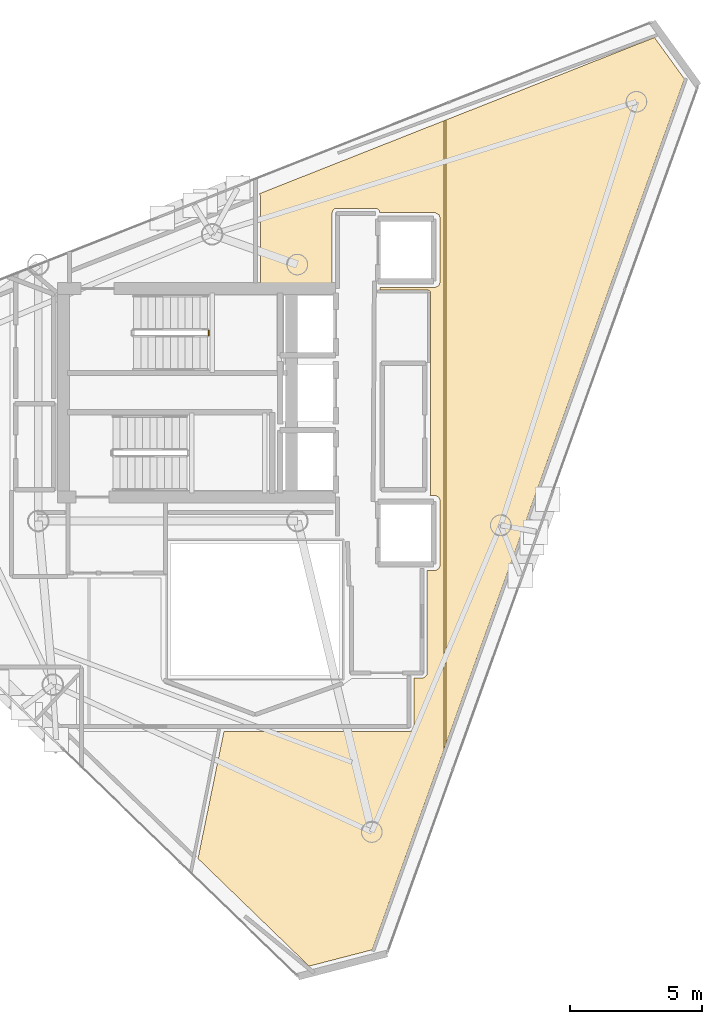
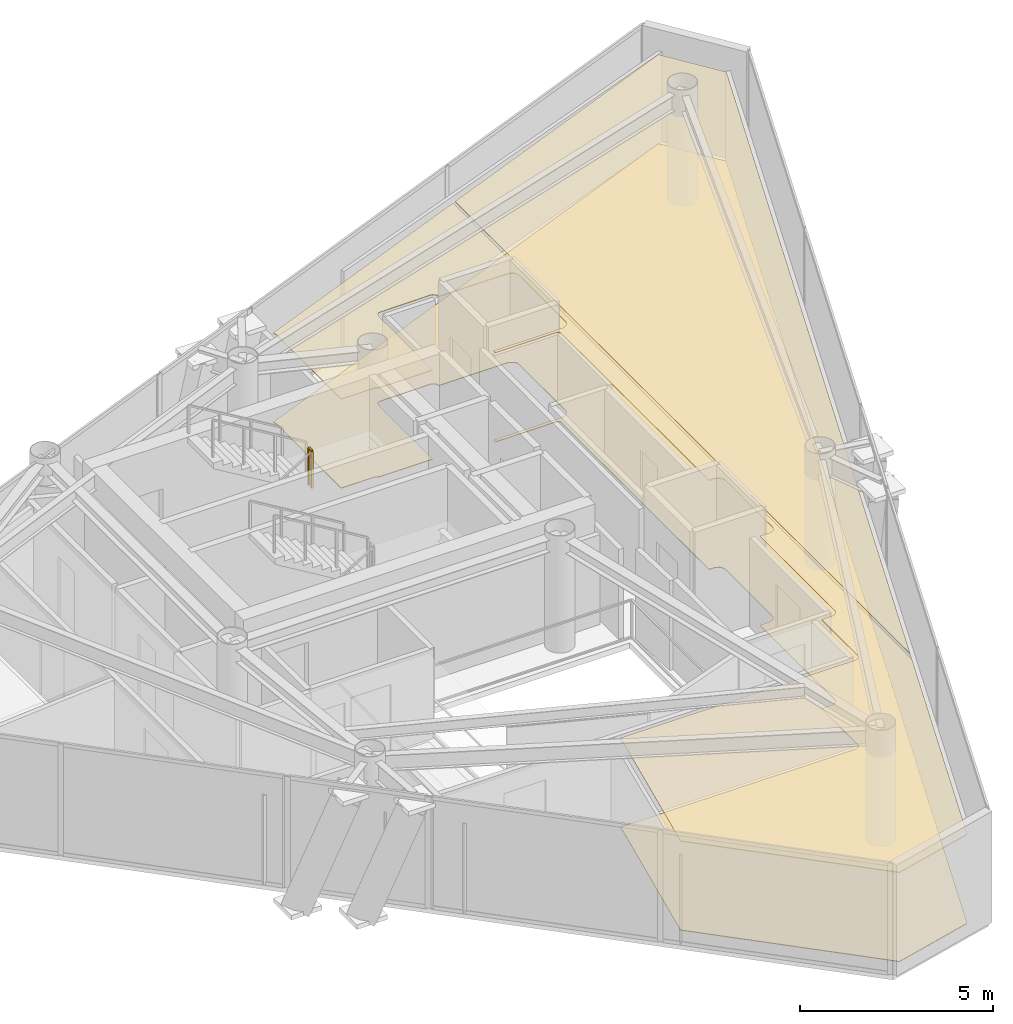
# One storey, part 19 of 19: 3 coverings, 1 railing.
"""IFC4 building model written with IfcOpenShell, lengths in metres."""

from ifc_helpers import new_model, si_unit, direction, frame, origin, origin_2d, place, context, subcontext, project, spatial, polyline, rectangle, outline, extrude, material, layer, layer_set, type_object, element, save


model = new_model("IFC4")

# Units and contexts
model_context = context("Model", 3, precision=1e-05, world=origin(), true_north=direction((0.0, 1.0)))
body_context = subcontext(model_context, "Body", "Model", "MODEL_VIEW")
ifc_project = project(units=[si_unit("LENGTHUNIT", "METRE"), si_unit("AREAUNIT", "SQUARE_METRE"), si_unit("VOLUMEUNIT", "CUBIC_METRE"), si_unit("PLANEANGLEUNIT", "RADIAN"), si_unit("MASSUNIT", "GRAM", prefix="KILO")], contexts=[model_context])

# Site, building, storey
site_placement = place(None, origin())
site = spatial("IfcSite", under=ifc_project, at=site_placement, CompositionType="ELEMENT")
building_placement = place(site_placement, origin())
building = spatial("IfcBuilding", under=site, at=building_placement, Name="Qianvela Tower", CompositionType="ELEMENT")
storey_placement = place(building_placement, frame((0.0, 0.0, 344.39990234375)))
storey = spatial("IfcBuildingStorey", under=building, at=storey_placement, Name="L89", CompositionType="ELEMENT", Elevation=344.39990234375)

# Coverings
ifc_material_1 = material(Name="Perforated Mineral Acoustic Ceiling Tile")
ifc_layer_1 = layer(ifc_material_1, 0.02490234375)
ifc_layer_set_1 = layer_set([ifc_layer_1], Name="Perforated Mineral Acoustic Ceiling Tile")
covering_type_1 = type_object("IfcCoveringType", Name="COV-CEIL-ACOUSTIC-25", PredefinedType="CEILING", material=ifc_layer_set_1)
covering_1_placement = place(storey_placement, frame((0.0, 0.0, 2.815185546875)))
element("IfcCovering", 1, at=covering_1_placement, inside=storey, type_object=covering_type_1, Name="L89 Acoustic Ceiling Bay 1 Student Reading Library L89-03", PredefinedType="CEILING", context=body_context, shape_type="SweptSolid", body=[
    extrude(outline(polyline([(43.94580078125, 38.990966796875), (43.94580078125, 15.202880859375), (41.231201171875, 7.6328125), (38.84521484375, 7.01416015625), (34.64208984375, 11.084228515625), (35.62451171875, 15.889892578125), (42.64990234375, 15.889892578125), (42.65771484375, 15.890380859375), (42.66552734375, 15.8916015625), (42.673095703125, 15.893310546875), (42.6806640625, 15.89599609375), (42.7373046875, 15.91943359375), (42.744384765625, 15.9228515625), (42.7509765625, 15.927001953125), (42.75732421875, 15.931640625), (42.76318359375, 15.93701171875), (42.768310546875, 15.942626953125), (42.773193359375, 15.948974609375), (42.777099609375, 15.955810546875), (42.780517578125, 15.962890625), (42.803955078125, 16.019287109375), (42.806640625, 16.02685546875), (42.80859375, 16.034423828125), (42.8095703125, 16.042236328125), (42.81005859375, 16.050048828125), (42.8076171875, 17.920166015625), (43.157958984375, 17.92041015625), (43.165771484375, 17.9208984375), (43.173583984375, 17.921875), (43.18115234375, 17.923828125), (43.1884765625, 17.926513671875), (43.195556640625, 17.9296875), (43.202392578125, 17.933837890625), (43.20849609375, 17.938720703125), (43.21435546875, 17.94384765625), (43.2861328125, 18.015625), (43.29150390625, 18.021484375), (43.296142578125, 18.027587890625), (43.30029296875, 18.034423828125), (43.303466796875, 18.04150390625), (43.30615234375, 18.048828125), (43.30810546875, 18.056640625), (43.30908203125, 18.064208984375), (43.3095703125, 18.072265625), (43.309326171875, 21.980712890625), (43.60791015625, 21.982666015625), (43.615478515625, 21.983154296875), (43.623291015625, 21.984375), (43.630859375, 21.986083984375), (43.637939453125, 21.98876953125), (43.64501953125, 21.9921875), (43.716796875, 22.030517578125), (43.723388671875, 22.034423828125), (43.729736328125, 22.039306640625), (43.735595703125, 22.04443359375), (43.74072265625, 22.05029296875), (43.74560546875, 22.056640625), (43.74951171875, 22.063232421875), (43.787841796875, 22.135009765625), (43.791259765625, 22.14208984375), (43.7939453125, 22.1494140625), (43.7958984375, 22.156982421875), (43.796875, 22.164794921875), (43.79736328125, 22.172607421875), (43.79931640625, 24.61376953125), (43.799072265625, 24.62060546875), (43.798095703125, 24.627685546875), (43.79638671875, 24.634765625), (43.79443359375, 24.641357421875), (43.79150390625, 24.64794921875), (43.751220703125, 24.733154296875), (43.74755859375, 24.739990234375), (43.743408203125, 24.74658203125), (43.73828125, 24.752685546875), (43.732666015625, 24.75830078125), (43.726806640625, 24.76318359375), (43.72021484375, 24.767578125), (43.713134765625, 24.771240234375), (43.6279296875, 24.8115234375), (43.619873046875, 24.81494140625), (43.611328125, 24.8173828125), (43.6025390625, 24.81884765625), (43.59375, 24.8193359375), (43.423828125, 24.8193359375), (43.423828125, 24.8193359375), (43.426513671875, 24.826904296875), (43.428466796875, 24.83447265625), (43.4296875, 24.84228515625), (43.429931640625, 24.85009765625), (43.429931640625, 32.5), (43.4296875, 32.5078125), (43.428466796875, 32.515625), (43.426513671875, 32.523193359375), (43.423828125, 32.530517578125), (43.420654296875, 32.53759765625), (43.41650390625, 32.54443359375), (43.411865234375, 32.55078125), (43.406494140625, 32.556640625), (43.40087890625, 32.561767578125), (43.394287109375, 32.56640625), (43.3876953125, 32.570556640625), (43.380615234375, 32.573974609375), (43.373291015625, 32.57666015625), (43.365478515625, 32.57861328125), (43.35791015625, 32.57958984375), (43.35009765625, 32.580078125), (41.52001953125, 32.580078125), (41.52001953125, 32.679931640625), (43.580078125, 32.679931640625), (43.587158203125, 32.680419921875), (43.593994140625, 32.68115234375), (43.60107421875, 32.682861328125), (43.607666015625, 32.684814453125), (43.6142578125, 32.687744140625), (43.722412109375, 32.739013671875), (43.729248046875, 32.74267578125), (43.73583984375, 32.746826171875), (43.741943359375, 32.751953125), (43.74755859375, 32.757568359375), (43.75244140625, 32.763427734375), (43.7568359375, 32.77001953125), (43.760498046875, 32.777099609375), (43.763427734375, 32.7841796875), (43.79541015625, 32.873046875), (43.7978515625, 32.8818359375), (43.799560546875, 32.890869140625), (43.800048828125, 32.89990234375), (43.800048828125, 35.300048828125), (43.799560546875, 35.307861328125), (43.798583984375, 35.315673828125), (43.796630859375, 35.3232421875), (43.77294921875, 35.40087890625), (43.770263671875, 35.408447265625), (43.76708984375, 35.41552734375), (43.762939453125, 35.422119140625), (43.75830078125, 35.428466796875), (43.7529296875, 35.434326171875), (43.747314453125, 35.439697265625), (43.740966796875, 35.4443359375), (43.734130859375, 35.4482421875), (43.61767578125, 35.510498046875), (43.610595703125, 35.513916015625), (43.603271484375, 35.5166015625), (43.595703125, 35.5185546875), (43.587890625, 35.51953125), (43.580078125, 35.52001953125), (41.515625, 35.52001953125), (41.513916015625, 35.554931640625), (41.512939453125, 35.562744140625), (41.511474609375, 35.5703125), (41.509033203125, 35.577880859375), (41.506103515625, 35.585205078125), (41.50244140625, 35.591796875), (41.498046875, 35.598388671875), (41.4931640625, 35.6044921875), (41.487548828125, 35.60986328125), (41.481689453125, 35.614990234375), (41.41552734375, 35.663818359375), (41.409423828125, 35.66796875), (41.40283203125, 35.67138671875), (41.39599609375, 35.674560546875), (41.38916015625, 35.6767578125), (41.3818359375, 35.678466796875), (41.37451171875, 35.67919921875), (41.3671875, 35.6796875), (39.8349609375, 35.66650390625), (39.8271484375, 35.666015625), (39.8193359375, 35.664794921875), (39.81201171875, 35.662841796875), (39.804443359375, 35.660400390625), (39.797607421875, 35.656982421875), (39.791015625, 35.65283203125), (39.78466796875, 35.648193359375), (39.77880859375, 35.64306640625), (39.773681640625, 35.63720703125), (39.76904296875, 35.630859375), (39.764892578125, 35.624267578125), (39.7294921875, 35.5576171875), (39.72607421875, 35.550537109375), (39.723388671875, 35.543212890625), (39.721435546875, 35.53564453125), (39.720458984375, 35.52783203125), (39.719970703125, 35.52001953125), (39.719970703125, 32.719970703125), (38.125, 32.719970703125), (38.03369140625, 32.762451171875), (38.025634765625, 32.765625), (38.017333984375, 32.76806640625), (38.0087890625, 32.76953125), (38.0, 32.77001953125), (37.010009765625, 32.77001953125), (37.010009765625, 36.1162109375), (37.009521484375, 36.1240234375), (37.008544921875, 36.1318359375), (37.006591796875, 36.139404296875), (37.00390625, 36.146728515625), (36.98095703125, 36.202880859375), (36.977294921875, 36.21044921875), (36.972900390625, 36.217529296875), (36.968017578125, 36.22412109375), (36.96240234375, 36.230224609375), (36.9619140625, 36.23046875), (43.94580078125, 38.990966796875)])), origin(), (0.0, 0.0, 1.0), 0.02490234375),
])
covering_2_placement = place(storey_placement, frame((0.0, 0.0, 2.815185546875)))
element("IfcCovering", 2, at=covering_2_placement, inside=storey, type_object=covering_type_1, Name="L89 Acoustic Ceiling Bay 2 Student Reading Library L89-03", PredefinedType="CEILING", context=body_context, shape_type="SweptSolid", body=[
    extrude(outline(polyline([(51.9072265625, 42.1376953125), (53.0419921875, 40.570068359375), (44.02587890625, 15.42578125), (44.02587890625, 39.0224609375), (51.9072265625, 42.1376953125)])), origin(), (0.0, 0.0, 1.0), 0.02490234375),
])
ifc_material_2 = material(Name="Engineered Acoustic Oak Timber Flooring", Category="wood")
ifc_layer_2 = layer(ifc_material_2, 0.02001953125)
ifc_layer_set_2 = layer_set([ifc_layer_2], Name="Engineered Acoustic Oak Timber Flooring")
covering_type_2 = type_object("IfcCoveringType", Name="COV-FLOOR-OAK-20", PredefinedType="FLOORING", material=ifc_layer_set_2)
covering_3_placement = place(storey_placement, origin())
element("IfcCovering", 3, at=covering_3_placement, inside=storey, type_object=covering_type_2, Name="L89 Finish Flooring Student Reading Library L89-03", PredefinedType="FLOORING", context=body_context, shape_type="SweptSolid", body=[
    extrude(outline(polyline([(36.9619140625, 36.23046875), (51.9072265625, 42.1376953125), (53.0419921875, 40.570068359375), (41.231201171875, 7.6328125), (38.84521484375, 7.01416015625), (34.64208984375, 11.084228515625), (35.62451171875, 15.889892578125), (42.64990234375, 15.889892578125), (42.65771484375, 15.890380859375), (42.66552734375, 15.8916015625), (42.673095703125, 15.893310546875), (42.6806640625, 15.89599609375), (42.7373046875, 15.91943359375), (42.744384765625, 15.9228515625), (42.7509765625, 15.927001953125), (42.75732421875, 15.931640625), (42.76318359375, 15.93701171875), (42.768310546875, 15.942626953125), (42.773193359375, 15.948974609375), (42.777099609375, 15.955810546875), (42.780517578125, 15.962890625), (42.803955078125, 16.019287109375), (42.806640625, 16.02685546875), (42.80859375, 16.034423828125), (42.8095703125, 16.042236328125), (42.81005859375, 16.050048828125), (42.8076171875, 17.920166015625), (43.157958984375, 17.92041015625), (43.165771484375, 17.9208984375), (43.173583984375, 17.921875), (43.18115234375, 17.923828125), (43.1884765625, 17.926513671875), (43.195556640625, 17.9296875), (43.202392578125, 17.933837890625), (43.20849609375, 17.938720703125), (43.21435546875, 17.94384765625), (43.2861328125, 18.015625), (43.29150390625, 18.021484375), (43.296142578125, 18.027587890625), (43.30029296875, 18.034423828125), (43.303466796875, 18.04150390625), (43.30615234375, 18.048828125), (43.30810546875, 18.056640625), (43.30908203125, 18.064208984375), (43.3095703125, 18.072265625), (43.309326171875, 21.980712890625), (43.60791015625, 21.982666015625), (43.615478515625, 21.983154296875), (43.623291015625, 21.984375), (43.630859375, 21.986083984375), (43.637939453125, 21.98876953125), (43.64501953125, 21.9921875), (43.716796875, 22.030517578125), (43.723388671875, 22.034423828125), (43.729736328125, 22.039306640625), (43.735595703125, 22.04443359375), (43.74072265625, 22.05029296875), (43.74560546875, 22.056640625), (43.74951171875, 22.063232421875), (43.787841796875, 22.135009765625), (43.791259765625, 22.14208984375), (43.7939453125, 22.1494140625), (43.7958984375, 22.156982421875), (43.796875, 22.164794921875), (43.79736328125, 22.172607421875), (43.79931640625, 24.61376953125), (43.799072265625, 24.62060546875), (43.798095703125, 24.627685546875), (43.79638671875, 24.634765625), (43.79443359375, 24.641357421875), (43.79150390625, 24.64794921875), (43.751220703125, 24.733154296875), (43.74755859375, 24.739990234375), (43.743408203125, 24.74658203125), (43.73828125, 24.752685546875), (43.732666015625, 24.75830078125), (43.726806640625, 24.76318359375), (43.72021484375, 24.767578125), (43.713134765625, 24.771240234375), (43.6279296875, 24.8115234375), (43.619873046875, 24.81494140625), (43.611328125, 24.8173828125), (43.6025390625, 24.81884765625), (43.59375, 24.8193359375), (43.423828125, 24.8193359375), (43.423828125, 24.8193359375), (43.426513671875, 24.826904296875), (43.428466796875, 24.83447265625), (43.4296875, 24.84228515625), (43.429931640625, 24.85009765625), (43.429931640625, 32.5), (43.4296875, 32.5078125), (43.428466796875, 32.515625), (43.426513671875, 32.523193359375), (43.423828125, 32.530517578125), (43.420654296875, 32.53759765625), (43.41650390625, 32.54443359375), (43.411865234375, 32.55078125), (43.406494140625, 32.556640625), (43.40087890625, 32.561767578125), (43.394287109375, 32.56640625), (43.3876953125, 32.570556640625), (43.380615234375, 32.573974609375), (43.373291015625, 32.57666015625), (43.365478515625, 32.57861328125), (43.35791015625, 32.57958984375), (43.35009765625, 32.580078125), (41.52001953125, 32.580078125), (41.52001953125, 32.679931640625), (43.580078125, 32.679931640625), (43.587158203125, 32.680419921875), (43.593994140625, 32.68115234375), (43.60107421875, 32.682861328125), (43.607666015625, 32.684814453125), (43.6142578125, 32.687744140625), (43.722412109375, 32.739013671875), (43.729248046875, 32.74267578125), (43.73583984375, 32.746826171875), (43.741943359375, 32.751953125), (43.74755859375, 32.757568359375), (43.75244140625, 32.763427734375), (43.7568359375, 32.77001953125), (43.760498046875, 32.777099609375), (43.763427734375, 32.7841796875), (43.79541015625, 32.873046875), (43.7978515625, 32.8818359375), (43.799560546875, 32.890869140625), (43.800048828125, 32.89990234375), (43.800048828125, 35.300048828125), (43.799560546875, 35.307861328125), (43.798583984375, 35.315673828125), (43.796630859375, 35.3232421875), (43.77294921875, 35.40087890625), (43.770263671875, 35.408447265625), (43.76708984375, 35.41552734375), (43.762939453125, 35.422119140625), (43.75830078125, 35.428466796875), (43.7529296875, 35.434326171875), (43.747314453125, 35.439697265625), (43.740966796875, 35.4443359375), (43.734130859375, 35.4482421875), (43.61767578125, 35.510498046875), (43.610595703125, 35.513916015625), (43.603271484375, 35.5166015625), (43.595703125, 35.5185546875), (43.587890625, 35.51953125), (43.580078125, 35.52001953125), (41.515625, 35.52001953125), (41.513916015625, 35.554931640625), (41.512939453125, 35.562744140625), (41.511474609375, 35.5703125), (41.509033203125, 35.577880859375), (41.506103515625, 35.585205078125), (41.50244140625, 35.591796875), (41.498046875, 35.598388671875), (41.4931640625, 35.6044921875), (41.487548828125, 35.60986328125), (41.481689453125, 35.614990234375), (41.41552734375, 35.663818359375), (41.409423828125, 35.66796875), (41.40283203125, 35.67138671875), (41.39599609375, 35.674560546875), (41.38916015625, 35.6767578125), (41.3818359375, 35.678466796875), (41.37451171875, 35.67919921875), (41.3671875, 35.6796875), (39.8349609375, 35.66650390625), (39.8271484375, 35.666015625), (39.8193359375, 35.664794921875), (39.81201171875, 35.662841796875), (39.804443359375, 35.660400390625), (39.797607421875, 35.656982421875), (39.791015625, 35.65283203125), (39.78466796875, 35.648193359375), (39.77880859375, 35.64306640625), (39.773681640625, 35.63720703125), (39.76904296875, 35.630859375), (39.764892578125, 35.624267578125), (39.7294921875, 35.5576171875), (39.72607421875, 35.550537109375), (39.723388671875, 35.543212890625), (39.721435546875, 35.53564453125), (39.720458984375, 35.52783203125), (39.719970703125, 35.52001953125), (39.719970703125, 32.719970703125), (38.125, 32.719970703125), (38.03369140625, 32.762451171875), (38.025634765625, 32.765625), (38.017333984375, 32.76806640625), (38.0087890625, 32.76953125), (38.0, 32.77001953125), (37.010009765625, 32.77001953125), (37.010009765625, 36.1162109375), (37.009521484375, 36.1240234375), (37.008544921875, 36.1318359375), (37.006591796875, 36.139404296875), (37.00390625, 36.146728515625), (36.98095703125, 36.202880859375), (36.977294921875, 36.21044921875), (36.972900390625, 36.217529296875), (36.968017578125, 36.22412109375), (36.96240234375, 36.230224609375), (36.9619140625, 36.23046875)])), origin(), (0.0, 0.0, 1.0), 0.02001953125),
])

# Railing
ifc_material_3 = material(Name="Painted Tubular Steel Q355B", Category="steel")
railing_type = type_object("IfcRailingType", Name="RL-STAIR-GUARD-1200", PredefinedType="GUARDRAIL", material=ifc_material_3)
railing_placement = place(storey_placement, frame((35.050048828125, 30.889892578125, 1.85009765625)))
element("IfcRailing", 4, at=railing_placement, inside=storey, type_object=railing_type, Name="L89 ST-1 stair guard 2", PredefinedType="GUARDRAIL", context=body_context, shape_type="SweptSolid", body=[
    extrude(rectangle(XDim=0.050048828125, YDim=0.0400390625, at=origin_2d()), frame((0.0, 0.0, 1.179931640625), z_axis=(0.0, 1.0, 0.0), x_axis=(-1.0, 0.0, 0.0)), (0.0, 0.0, 1.0), 0.16015625),
    extrude(rectangle(XDim=0.050048828125, YDim=0.050048828125, at=origin_2d()), origin(), (0.0, 0.0, 1.0), 1.159912109375),
    extrude(rectangle(XDim=0.050048828125, YDim=0.050048828125, at=origin_2d()), frame((0.0, 0.16015625, 0.0)), (0.0, 0.0, 1.0), 1.159912109375),
])

save(model, "model.ifc")
